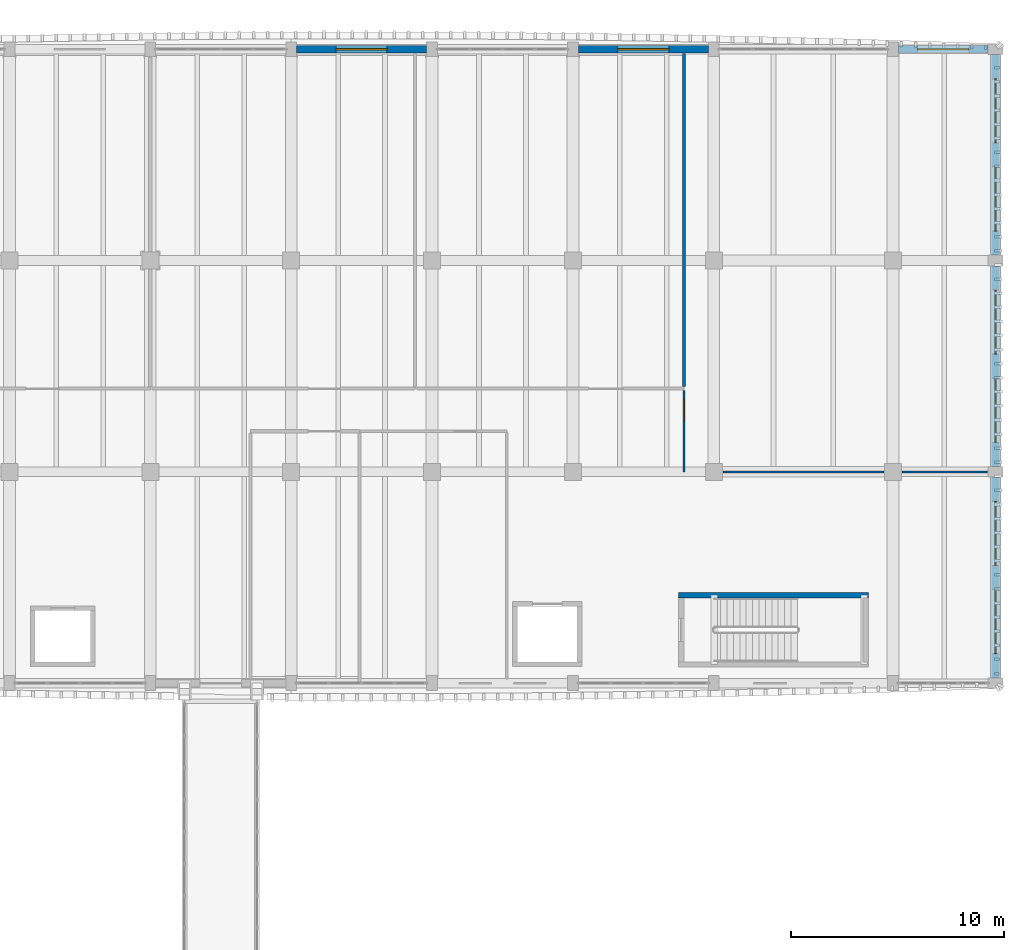
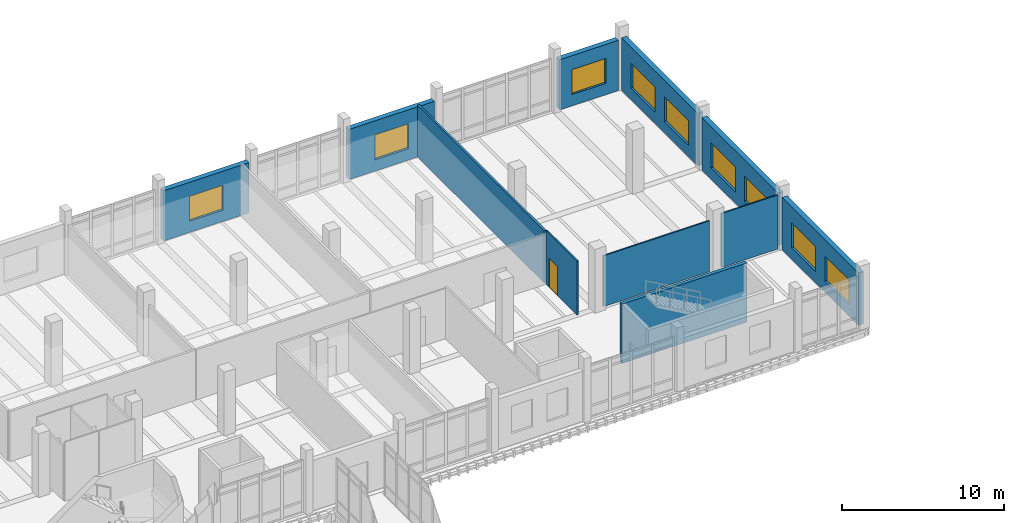
# One storey, part 98 of 125: 11 walls, 9 windows, 1 door, 10 openings.
"""IFC4 building model written with IfcOpenShell, lengths in metres."""

from ifc_helpers import new_model, si_unit, direction, frame, frame_2d, origin, place, context, subcontext, project, spatial, rectangle, extrude, material, layer, layer_set, type_object, element, fill, save


model = new_model("IFC4")

# Units and contexts
model_context = context("Model", 3, precision=1e-05, world=origin(), true_north=direction((0.0, 1.0)))
body_context = subcontext(model_context, "Body", "Model", "MODEL_VIEW")
ifc_project = project(units=[si_unit("LENGTHUNIT", "METRE"), si_unit("AREAUNIT", "SQUARE_METRE"), si_unit("VOLUMEUNIT", "CUBIC_METRE"), si_unit("PLANEANGLEUNIT", "RADIAN"), si_unit("MASSUNIT", "GRAM", prefix="KILO")], contexts=[model_context])

# Site, building, storey
site_placement = place(None, origin())
site = spatial("IfcSite", under=ifc_project, at=site_placement, CompositionType="ELEMENT")
building_placement = place(site_placement, origin())
building = spatial("IfcBuilding", under=site, at=building_placement, Name="Dornvale Research Institute", CompositionType="ELEMENT")
storey_placement = place(building_placement, frame((0.0, 0.0, 5.39990234375)))
storey = spatial("IfcBuildingStorey", under=building, at=storey_placement, Name="L01", CompositionType="ELEMENT", Elevation=5.39990234375)

# Walls
ifc_material_1 = material(Name="Acoustic Insulated Double-Stud Laboratory Partition")
ifc_layer_1 = layer(ifc_material_1, 0.14990234375)
ifc_layer_set_1 = layer_set([ifc_layer_1], Name="Acoustic Insulated Double-Stud Laboratory Partition")
wall_type_1 = type_object("IfcWallType", Name="Partition_Lab_150", PredefinedType="PARTITIONING", material=ifc_layer_set_1)
wall_1_placement = place(storey_placement, frame((163.60009765625, 106.2900390625, 0.0), z_axis=(0.0, 0.0, 1.0), x_axis=(0.0, 1.0, 0.0)))
element("IfcWall", 1, at=wall_1_placement, inside=storey, type_object=wall_type_1, Name="L01 V4 interior partition #195", PredefinedType="PARTITIONING", context=body_context, shape_type="SweptSolid", body=[
    extrude(rectangle(XDim=15.614990234375, YDim=0.14990234375, at=frame_2d((7.8076171875, 0.0))), origin(), (0.0, 0.0, 1.0), 3.93017578125),
])
ifc_material_2 = material(Name="Acoustic Insulated Double-Stud Laboratory Partition")
ifc_layer_2 = layer(ifc_material_2, 0.10009765625)
ifc_layer_set_2 = layer_set([ifc_layer_2], Name="Acoustic Insulated Double-Stud Laboratory Partition")
wall_type_2 = type_object("IfcWallType", Name="Partition_Office_100", PredefinedType="PARTITIONING", material=ifc_layer_set_2)
wall_2_placement = place(storey_placement, frame((165.419921875, 102.300048828125, 0.0), z_axis=(0.0, 0.0, 1.0), x_axis=(1.0, 0.0, 0.0)))
element("IfcWall", 2, at=wall_2_placement, inside=storey, type_object=wall_type_2, Name="L01 V4 interior partition #196", PredefinedType="PARTITIONING", context=body_context, shape_type="SweptSolid", body=[
    extrude(rectangle(XDim=7.56005859375, YDim=0.10009765625, at=frame_2d((3.780029296875, 0.0))), origin(), (0.0, 0.0, 1.0), 3.830078125),
])
wall_3_placement = place(storey_placement, frame((173.820068359375, 102.300048828125, 0.0), z_axis=(0.0, 0.0, 1.0), x_axis=(1.0, 0.0, 0.0)))
element("IfcWall", 3, at=wall_3_placement, inside=storey, type_object=wall_type_2, Name="L01 V4 interior partition #197", PredefinedType="PARTITIONING", context=body_context, shape_type="SweptSolid", body=[
    extrude(rectangle(XDim=4.010009765625, YDim=0.10009765625, at=frame_2d((2.0048828125, 0.0))), origin(), (0.0, 0.0, 1.0), 4.065185546875),
])

# Wall, opening, door
wall_4_placement = place(storey_placement, frame((163.60009765625, 102.300048828125, 0.0), z_axis=(0.0, 0.0, 1.0), x_axis=(0.0, 1.0, 0.0)))
wall_4 = element("IfcWall", 4, at=wall_4_placement, inside=storey, type_object=wall_type_2, Name="L01 V4 interior partition #198", PredefinedType="PARTITIONING", context=body_context, shape_type="SweptSolid", body=[
    extrude(rectangle(XDim=3.81005859375, YDim=0.10009765625, at=frame_2d((1.905029296875, 0.0))), origin(), (0.0, 0.0, 1.0), 4.065185546875),
])
opening_1_placement = place(wall_4_placement, frame((2.389892578125, 0.0, 0.0)))
opening_1 = element("IfcOpeningElement", 5, at=opening_1_placement, cuts=wall_4, Name="Opening ID-20", PredefinedType="OPENING", context=body_context, shape_type="SweptSolid", body=[
    extrude(rectangle(XDim=1.02001953125, YDim=2.199951171875, at=frame_2d((0.510009765625, 1.10009765625))), frame((0.0, 0.06494140625, 0.0), z_axis=(0.0, -1.0, 0.0), x_axis=(1.0, 0.0, 0.0)), (0.0, 0.0, 1.0), 0.130126953125),
])
ifc_material_3 = material(Name="Phenolic-Faced Solid-Core Laboratory Door Assembly")
door_type = type_object("IfcDoorType", Name="Door_WriteUp_1020x2200", OperationType="SINGLE_SWING_LEFT", PredefinedType="DOOR", material=ifc_material_3)
door_placement = place(opening_1_placement, origin())
door = element("IfcDoor", 6, at=door_placement, inside=storey, type_object=door_type, Name="L01 Wet Lab Write-Up Studio L01 door #80", OperationType="SINGLE_SWING_LEFT", OverallHeight=2.199951171875, OverallWidth=1.02001953125, PredefinedType="DOOR", context=body_context, shape_type="SweptSolid", body=[
    extrude(rectangle(XDim=1.02001953125, YDim=2.199951171875, at=frame_2d((0.510009765625, 1.10009765625))), frame((0.0, 0.02490234375, 0.0), z_axis=(0.0, -1.0, 0.0), x_axis=(1.0, 0.0, 0.0)), (0.0, 0.0, 1.0), 0.050048828125),
])
fill(opening_1, door)

# Wall
ifc_material_4 = material(Name="Concrete f'c 45 MPa (C35/45)", Category="concrete")
ifc_layer_3 = layer(ifc_material_4, 0.25)
ifc_layer_set_3 = layer_set([ifc_layer_3], Name="Concrete f'c 45 MPa (C35/45)")
wall_type_3 = type_object("IfcWallType", Name="ShearWall_Core_250", PredefinedType="SHEAR", material=ifc_layer_set_3)
wall_5_placement = place(storey_placement, frame((163.35009765625, 96.52490234375, 0.0), z_axis=(0.0, 0.0, 1.0), x_axis=(1.0, 0.0, 0.0)))
element("IfcWall", 7, at=wall_5_placement, inside=storey, type_object=wall_type_3, Name="L01 ST-4 shaft shear wall north", PredefinedType="SHEAR", context=body_context, shape_type="SweptSolid", body=[
    extrude(rectangle(XDim=8.89990234375, YDim=0.25, at=frame_2d((4.449951171875, 0.0))), origin(), (0.0, 0.0, 1.0), 4.460205078125),
])

# Wall, opening, window
ifc_material_5 = material(Name="Catalan Pressed Brick and Insulated Cavity Assembly", Category="masonry")
ifc_layer_4 = layer(ifc_material_5, 0.360107421875)
ifc_layer_set_4 = layer_set([ifc_layer_4], Name="Catalan Pressed Brick and Insulated Cavity Assembly")
wall_type_4 = type_object("IfcWallType", Name="StandardWall_BrickCavity_360", PredefinedType="STANDARD", material=ifc_layer_set_4)
wall_6_placement = place(storey_placement, frame((145.449951171875, 122.10009765625, 0.0), z_axis=(0.0, 0.0, 1.0), x_axis=(1.0, 0.0, 0.0)))
wall_6 = element("IfcWall", 8, at=wall_6_placement, inside=storey, type_object=wall_type_4, Name="L01 V4 north exterior wall #206", PredefinedType="STANDARD", context=body_context, shape_type="SweptSolid", body=[
    extrude(rectangle(XDim=6.10009765625, YDim=0.360107421875, at=frame_2d((3.050048828125, 0.0))), origin(), (0.0, 0.0, 1.0), 3.780029296875),
])
opening_2_placement = place(wall_6_placement, frame((1.85009765625, 0.0, 0.85009765625)))
opening_2 = element("IfcOpeningElement", 9, at=opening_2_placement, cuts=wall_6, Name="Opening W-33", PredefinedType="OPENING", context=body_context, shape_type="SweptSolid", body=[
    extrude(rectangle(XDim=2.39990234375, YDim=1.8798828125, at=frame_2d((1.199951171875, 0.93994140625))), frame((0.0, 0.195068359375, 0.0), z_axis=(0.0, -1.0, 0.0), x_axis=(1.0, 0.0, 0.0)), (0.0, 0.0, 1.0), 0.39013671875),
])
ifc_material_6 = material(Name="Low-E Argon Double Insulating Glazing Unit", Category="glass")
window_type_1 = type_object("IfcWindowType", Name="Window_Alu_2400x1880_33", PartitioningType="DOUBLE_PANEL_VERTICAL", PredefinedType="WINDOW", material=ifc_material_6)
window_1_placement = place(opening_2_placement, origin())
window_1 = element("IfcWindow", 10, at=window_1_placement, inside=storey, type_object=window_type_1, Name="L01 V4 facade window W-33 #273", OverallHeight=1.8798828125, OverallWidth=2.39990234375, PartitioningType="DOUBLE_PANEL_VERTICAL", PredefinedType="WINDOW", context=body_context, shape_type="SweptSolid", body=[
    extrude(rectangle(XDim=2.39990234375, YDim=1.8798828125, at=frame_2d((1.199951171875, 0.93994140625))), frame((0.0, 0.030029296875, 0.0), z_axis=(0.0, -1.0, 0.0), x_axis=(1.0, 0.0, 0.0)), (0.0, 0.0, 1.0), 0.06005859375),
])
fill(opening_2, window_1)

wall_7_placement = place(storey_placement, frame((158.64990234375, 122.10009765625, 0.0), z_axis=(0.0, 0.0, 1.0), x_axis=(1.0, 0.0, 0.0)))
wall_7 = element("IfcWall", 11, at=wall_7_placement, inside=storey, type_object=wall_type_4, Name="L01 V4 north exterior wall #207", PredefinedType="STANDARD", context=body_context, shape_type="SweptSolid", body=[
    extrude(rectangle(XDim=6.10009765625, YDim=0.360107421875, at=frame_2d((3.050048828125, 0.0))), origin(), (0.0, 0.0, 1.0), 3.780029296875),
])
opening_3_placement = place(wall_7_placement, frame((1.85009765625, 0.0, 0.85009765625)))
opening_3 = element("IfcOpeningElement", 12, at=opening_3_placement, cuts=wall_7, Name="Opening W-33", PredefinedType="OPENING", context=body_context, shape_type="SweptSolid", body=[
    extrude(rectangle(XDim=2.39990234375, YDim=1.8798828125, at=frame_2d((1.199951171875, 0.93994140625))), frame((0.0, 0.195068359375, 0.0), z_axis=(0.0, -1.0, 0.0), x_axis=(1.0, 0.0, 0.0)), (0.0, 0.0, 1.0), 0.39013671875),
])
window_2_placement = place(opening_3_placement, origin())
window_2 = element("IfcWindow", 13, at=window_2_placement, inside=storey, type_object=window_type_1, Name="L01 V4 facade window W-33 #274", OverallHeight=1.8798828125, OverallWidth=2.39990234375, PartitioningType="DOUBLE_PANEL_VERTICAL", PredefinedType="WINDOW", context=body_context, shape_type="SweptSolid", body=[
    extrude(rectangle(XDim=2.39990234375, YDim=1.8798828125, at=frame_2d((1.199951171875, 0.93994140625))), frame((0.0, 0.030029296875, 0.0), z_axis=(0.0, -1.0, 0.0), x_axis=(1.0, 0.0, 0.0)), (0.0, 0.0, 1.0), 0.06005859375),
])
fill(opening_3, window_2)

wall_8_placement = place(storey_placement, frame((173.64990234375, 122.10009765625, 0.0), z_axis=(0.0, 0.0, 1.0), x_axis=(1.0, 0.0, 0.0)))
wall_8 = element("IfcWall", 14, at=wall_8_placement, inside=storey, type_object=wall_type_4, Name="L01 V4 north exterior wall #208", PredefinedType="STANDARD", context=body_context, shape_type="SweptSolid", body=[
    extrude(rectangle(XDim=4.2001953125, YDim=0.360107421875, at=frame_2d((2.10009765625, 0.0))), origin(), (0.0, 0.0, 1.0), 3.780029296875),
])
opening_4_placement = place(wall_8_placement, frame((0.89990234375, 0.0, 0.85009765625)))
opening_4 = element("IfcOpeningElement", 15, at=opening_4_placement, cuts=wall_8, Name="Opening W-33", PredefinedType="OPENING", context=body_context, shape_type="SweptSolid", body=[
    extrude(rectangle(XDim=2.39990234375, YDim=1.8798828125, at=frame_2d((1.199951171875, 0.93994140625))), frame((0.0, 0.195068359375, 0.0), z_axis=(0.0, -1.0, 0.0), x_axis=(1.0, 0.0, 0.0)), (0.0, 0.0, 1.0), 0.39013671875),
])
window_3_placement = place(opening_4_placement, origin())
window_3 = element("IfcWindow", 16, at=window_3_placement, inside=storey, type_object=window_type_1, Name="L01 V4 facade window W-33 #275", OverallHeight=1.8798828125, OverallWidth=2.39990234375, PartitioningType="DOUBLE_PANEL_VERTICAL", PredefinedType="WINDOW", context=body_context, shape_type="SweptSolid", body=[
    extrude(rectangle(XDim=2.39990234375, YDim=1.8798828125, at=frame_2d((1.199951171875, 0.93994140625))), frame((0.0, 0.030029296875, 0.0), z_axis=(0.0, -1.0, 0.0), x_axis=(1.0, 0.0, 0.0)), (0.0, 0.0, 1.0), 0.06005859375),
])
fill(opening_4, window_3)

# Wall, openings, windows
wall_9_placement = place(storey_placement, frame((178.199951171875, 121.85009765625, 0.0), z_axis=(0.0, 0.0, 1.0), x_axis=(0.0, -1.0, 0.0)))
wall_9 = element("IfcWall", 17, at=wall_9_placement, inside=storey, type_object=wall_type_4, Name="L01 V4 east exterior wall #209", PredefinedType="STANDARD", context=body_context, shape_type="SweptSolid", body=[
    extrude(rectangle(XDim=9.400146484375, YDim=0.360107421875, at=frame_2d((4.7001953125, 0.0))), origin(), (0.0, 0.0, 1.0), 3.9501953125),
])
opening_5_placement = place(wall_9_placement, frame((1.13330078125, 0.0, 0.85009765625)))
opening_5 = element("IfcOpeningElement", 18, at=opening_5_placement, cuts=wall_9, Name="Opening W-36", PredefinedType="OPENING", context=body_context, shape_type="SweptSolid", body=[
    extrude(rectangle(XDim=3.0, YDim=1.8798828125, at=frame_2d((1.5, 0.93994140625))), frame((0.0, 0.195068359375, 0.0), z_axis=(0.0, -1.0, 0.0), x_axis=(1.0, 0.0, 0.0)), (0.0, 0.0, 1.0), 0.39013671875),
])
opening_6_placement = place(wall_9_placement, frame((5.2666015625, 0.0, 0.85009765625)))
opening_6 = element("IfcOpeningElement", 19, at=opening_6_placement, cuts=wall_9, Name="Opening W-36", PredefinedType="OPENING", context=body_context, shape_type="SweptSolid", body=[
    extrude(rectangle(XDim=3.0, YDim=1.8798828125, at=frame_2d((1.5, 0.93994140625))), frame((0.0, 0.195068359375, 0.0), z_axis=(0.0, -1.0, 0.0), x_axis=(1.0, 0.0, 0.0)), (0.0, 0.0, 1.0), 0.39013671875),
])
ifc_material_7 = material(Name="Low-E Argon Double Insulating Glazing Unit", Category="glass")
window_type_2 = type_object("IfcWindowType", Name="Window_Alu_3000x1880_36", PartitioningType="DOUBLE_PANEL_VERTICAL", PredefinedType="WINDOW", material=ifc_material_7)
window_4_placement = place(opening_5_placement, origin())
window_4 = element("IfcWindow", 20, at=window_4_placement, inside=storey, type_object=window_type_2, Name="L01 V4 facade window W-36 #276", OverallHeight=1.8798828125, OverallWidth=3.0, PartitioningType="DOUBLE_PANEL_VERTICAL", PredefinedType="WINDOW", context=body_context, shape_type="SweptSolid", body=[
    extrude(rectangle(XDim=3.0, YDim=1.8798828125, at=frame_2d((1.5, 0.93994140625))), frame((0.0, 0.030029296875, 0.0), z_axis=(0.0, -1.0, 0.0), x_axis=(1.0, 0.0, 0.0)), (0.0, 0.0, 1.0), 0.06005859375),
])
fill(opening_5, window_4)
window_5_placement = place(opening_6_placement, origin())
window_5 = element("IfcWindow", 21, at=window_5_placement, inside=storey, type_object=window_type_2, Name="L01 V4 facade window W-36 #277", OverallHeight=1.8798828125, OverallWidth=3.0, PartitioningType="DOUBLE_PANEL_VERTICAL", PredefinedType="WINDOW", context=body_context, shape_type="SweptSolid", body=[
    extrude(rectangle(XDim=3.0, YDim=1.8798828125, at=frame_2d((1.5, 0.93994140625))), frame((0.0, 0.030029296875, 0.0), z_axis=(0.0, -1.0, 0.0), x_axis=(1.0, 0.0, 0.0)), (0.0, 0.0, 1.0), 0.06005859375),
])
fill(opening_6, window_5)

wall_10_placement = place(storey_placement, frame((178.199951171875, 111.949951171875, 0.0), z_axis=(0.0, 0.0, 1.0), x_axis=(0.0, -1.0, 0.0)))
wall_10 = element("IfcWall", 22, at=wall_10_placement, inside=storey, type_object=wall_type_4, Name="L01 V4 east exterior wall #210", PredefinedType="STANDARD", context=body_context, shape_type="SweptSolid", body=[
    extrude(rectangle(XDim=9.39990234375, YDim=0.360107421875, at=frame_2d((4.699951171875, 0.0))), origin(), (0.0, 0.0, 1.0), 3.9501953125),
])
opening_7_placement = place(wall_10_placement, frame((1.13330078125, 0.0, 0.85009765625)))
opening_7 = element("IfcOpeningElement", 23, at=opening_7_placement, cuts=wall_10, Name="Opening W-36", PredefinedType="OPENING", context=body_context, shape_type="SweptSolid", body=[
    extrude(rectangle(XDim=3.0, YDim=1.8798828125, at=frame_2d((1.5, 0.93994140625))), frame((0.0, 0.195068359375, 0.0), z_axis=(0.0, -1.0, 0.0), x_axis=(1.0, 0.0, 0.0)), (0.0, 0.0, 1.0), 0.39013671875),
])
opening_8_placement = place(wall_10_placement, frame((5.2666015625, 0.0, 0.85009765625)))
opening_8 = element("IfcOpeningElement", 24, at=opening_8_placement, cuts=wall_10, Name="Opening W-36", PredefinedType="OPENING", context=body_context, shape_type="SweptSolid", body=[
    extrude(rectangle(XDim=3.0, YDim=1.8798828125, at=frame_2d((1.5, 0.93994140625))), frame((0.0, 0.195068359375, 0.0), z_axis=(0.0, -1.0, 0.0), x_axis=(1.0, 0.0, 0.0)), (0.0, 0.0, 1.0), 0.39013671875),
])
window_6_placement = place(opening_7_placement, origin())
window_6 = element("IfcWindow", 25, at=window_6_placement, inside=storey, type_object=window_type_2, Name="L01 V4 facade window W-36 #278", OverallHeight=1.8798828125, OverallWidth=3.0, PartitioningType="DOUBLE_PANEL_VERTICAL", PredefinedType="WINDOW", context=body_context, shape_type="SweptSolid", body=[
    extrude(rectangle(XDim=3.0, YDim=1.8798828125, at=frame_2d((1.5, 0.93994140625))), frame((0.0, 0.030029296875, 0.0), z_axis=(0.0, -1.0, 0.0), x_axis=(1.0, 0.0, 0.0)), (0.0, 0.0, 1.0), 0.06005859375),
])
fill(opening_7, window_6)
window_7_placement = place(opening_8_placement, origin())
window_7 = element("IfcWindow", 26, at=window_7_placement, inside=storey, type_object=window_type_2, Name="L01 V4 facade window W-36 #279", OverallHeight=1.8798828125, OverallWidth=3.0, PartitioningType="DOUBLE_PANEL_VERTICAL", PredefinedType="WINDOW", context=body_context, shape_type="SweptSolid", body=[
    extrude(rectangle(XDim=3.0, YDim=1.8798828125, at=frame_2d((1.5, 0.93994140625))), frame((0.0, 0.030029296875, 0.0), z_axis=(0.0, -1.0, 0.0), x_axis=(1.0, 0.0, 0.0)), (0.0, 0.0, 1.0), 0.06005859375),
])
fill(opening_8, window_7)

wall_11_placement = place(storey_placement, frame((178.199951171875, 102.050048828125, 0.0), z_axis=(0.0, 0.0, 1.0), x_axis=(0.0, -1.0, 0.0)))
wall_11 = element("IfcWall", 27, at=wall_11_placement, inside=storey, type_object=wall_type_4, Name="L01 V4 east exterior wall #211", PredefinedType="STANDARD", context=body_context, shape_type="SweptSolid", body=[
    extrude(rectangle(XDim=9.400146484375, YDim=0.360107421875, at=frame_2d((4.7001953125, 0.0))), origin(), (0.0, 0.0, 1.0), 3.9501953125),
])
opening_9_placement = place(wall_11_placement, frame((1.13330078125, 0.0, 0.85009765625)))
opening_9 = element("IfcOpeningElement", 28, at=opening_9_placement, cuts=wall_11, Name="Opening W-36", PredefinedType="OPENING", context=body_context, shape_type="SweptSolid", body=[
    extrude(rectangle(XDim=3.0, YDim=1.8798828125, at=frame_2d((1.5, 0.93994140625))), frame((0.0, 0.195068359375, 0.0), z_axis=(0.0, -1.0, 0.0), x_axis=(1.0, 0.0, 0.0)), (0.0, 0.0, 1.0), 0.39013671875),
])
opening_10_placement = place(wall_11_placement, frame((5.2666015625, 0.0, 0.85009765625)))
opening_10 = element("IfcOpeningElement", 29, at=opening_10_placement, cuts=wall_11, Name="Opening W-36", PredefinedType="OPENING", context=body_context, shape_type="SweptSolid", body=[
    extrude(rectangle(XDim=3.0, YDim=1.8798828125, at=frame_2d((1.5, 0.93994140625))), frame((0.0, 0.195068359375, 0.0), z_axis=(0.0, -1.0, 0.0), x_axis=(1.0, 0.0, 0.0)), (0.0, 0.0, 1.0), 0.39013671875),
])
window_8_placement = place(opening_9_placement, origin())
window_8 = element("IfcWindow", 30, at=window_8_placement, inside=storey, type_object=window_type_2, Name="L01 V4 facade window W-36 #280", OverallHeight=1.8798828125, OverallWidth=3.0, PartitioningType="DOUBLE_PANEL_VERTICAL", PredefinedType="WINDOW", context=body_context, shape_type="SweptSolid", body=[
    extrude(rectangle(XDim=3.0, YDim=1.8798828125, at=frame_2d((1.5, 0.93994140625))), frame((0.0, 0.030029296875, 0.0), z_axis=(0.0, -1.0, 0.0), x_axis=(1.0, 0.0, 0.0)), (0.0, 0.0, 1.0), 0.06005859375),
])
fill(opening_9, window_8)
window_9_placement = place(opening_10_placement, origin())
window_9 = element("IfcWindow", 31, at=window_9_placement, inside=storey, type_object=window_type_2, Name="L01 V4 facade window W-36 #281", OverallHeight=1.8798828125, OverallWidth=3.0, PartitioningType="DOUBLE_PANEL_VERTICAL", PredefinedType="WINDOW", context=body_context, shape_type="SweptSolid", body=[
    extrude(rectangle(XDim=3.0, YDim=1.8798828125, at=frame_2d((1.5, 0.93994140625))), frame((0.0, 0.030029296875, 0.0), z_axis=(0.0, -1.0, 0.0), x_axis=(1.0, 0.0, 0.0)), (0.0, 0.0, 1.0), 0.06005859375),
])
fill(opening_10, window_9)

save(model, "model.ifc")
